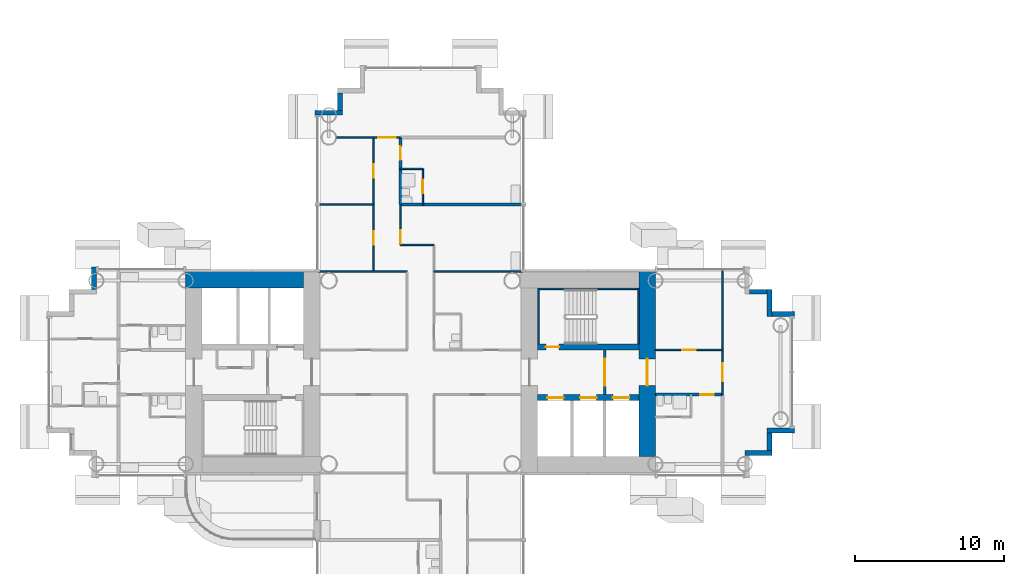
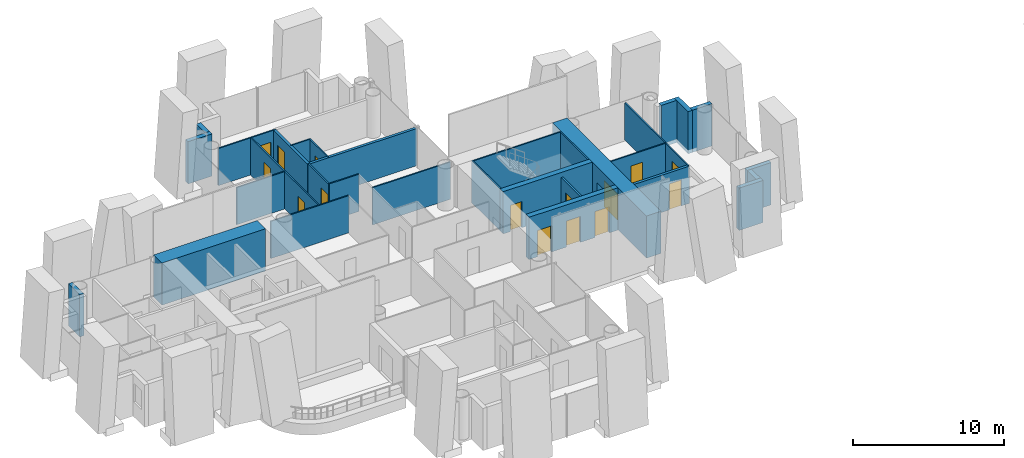
# One storey, part 12 of 24: 31 walls, 15 doors, 15 openings.
"""IFC4 building model written with IfcOpenShell, lengths in metres."""

from ifc_helpers import new_model, si_unit, direction, frame, frame_2d, origin, place, context, subcontext, project, spatial, rectangle, extrude, material, layer, layer_set, type_object, element, fill, save


model = new_model("IFC4")

# Units and contexts
model_context = context("Model", 3, precision=1e-05, world=origin(), true_north=direction((0.0, 1.0)))
body_context = subcontext(model_context, "Body", "Model", "MODEL_VIEW")
ifc_project = project(units=[si_unit("LENGTHUNIT", "METRE"), si_unit("AREAUNIT", "SQUARE_METRE"), si_unit("VOLUMEUNIT", "CUBIC_METRE"), si_unit("PLANEANGLEUNIT", "RADIAN"), si_unit("MASSUNIT", "GRAM", prefix="KILO")], contexts=[model_context])

# Site, building, storey
site_placement = place(None, origin())
site = spatial("IfcSite", under=ifc_project, at=site_placement, CompositionType="ELEMENT")
building_placement = place(site_placement, origin())
building = spatial("IfcBuilding", under=site, at=building_placement, Name="Ipe Terrace Towers", CompositionType="ELEMENT")
storey_placement = place(building_placement, frame((0.0, 0.0, 38.10009765625)))
storey = spatial("IfcBuildingStorey", under=building, at=storey_placement, Name="L09", CompositionType="ELEMENT", Elevation=38.10009765625)

# Walls
ifc_material_1 = material(Name="Concrete C40/50 with buff precast cladding", Category="concrete")
ifc_layer_1 = layer(ifc_material_1, 0.320068359375)
ifc_layer_set_1 = layer_set([ifc_layer_1], Name="BUFF CLADDING WALL 320")
wall_type_1 = type_object("IfcWallType", Name="BUFF CLADDING WALL 320", PredefinedType="STANDARD", material=ifc_layer_set_1)
wall_1_placement = place(storey_placement, frame((-14.25, -5.409912109375, -0.300048828125), z_axis=(0.0, 0.0, 1.0), x_axis=(1.0, 0.0, 0.0)))
element("IfcWall", 1, at=wall_1_placement, inside=storey, type_object=wall_type_1, Name="T1-W-L09-22a wall", PredefinedType="STANDARD", context=body_context, shape_type="SweptSolid", body=[
    extrude(rectangle(XDim=1.820068359375, YDim=0.320068359375, at=frame_2d((0.91015625, 0.0))), origin(), (0.0, 0.0, 1.0), 3.39990234375),
])
wall_2_placement = place(storey_placement, frame((-12.590087890625, -5.25, -0.300048828125), z_axis=(0.0, 0.0, 1.0), x_axis=(0.0, 1.0, 0.0)))
element("IfcWall", 2, at=wall_2_placement, inside=storey, type_object=wall_type_1, Name="T1-W-L09-23a wall", PredefinedType="STANDARD", context=body_context, shape_type="SweptSolid", body=[
    extrude(rectangle(XDim=1.179931640625, YDim=0.320068359375, at=frame_2d((0.58984375, 0.0))), origin(), (0.0, 0.0, 1.0), 3.39990234375),
])
wall_3_placement = place(storey_placement, frame((-12.75, -3.909912109375, -0.300048828125), z_axis=(0.0, 0.0, 1.0), x_axis=(1.0, 0.0, 0.0)))
element("IfcWall", 3, at=wall_3_placement, inside=storey, type_object=wall_type_1, Name="T1-W-L09-24a wall", PredefinedType="STANDARD", context=body_context, shape_type="SweptSolid", body=[
    extrude(rectangle(XDim=1.820068359375, YDim=0.320068359375, at=frame_2d((0.91015625, 0.0))), origin(), (0.0, 0.0, 1.0), 3.39990234375),
])
wall_4_placement = place(storey_placement, frame((-10.929931640625, 3.909912109375, -0.300048828125), z_axis=(0.0, 0.0, 1.0), x_axis=(-1.0, 0.0, 0.0)))
element("IfcWall", 4, at=wall_4_placement, inside=storey, type_object=wall_type_1, Name="T1-W-L09-26a wall", PredefinedType="STANDARD", context=body_context, shape_type="SweptSolid", body=[
    extrude(rectangle(XDim=1.5, YDim=0.320068359375, at=frame_2d((0.75, 0.0))), origin(), (0.0, 0.0, 1.0), 3.39990234375),
])
wall_5_placement = place(storey_placement, frame((-12.590087890625, 3.75, -0.300048828125), z_axis=(0.0, 0.0, 1.0), x_axis=(0.0, 1.0, 0.0)))
element("IfcWall", 5, at=wall_5_placement, inside=storey, type_object=wall_type_1, Name="T1-W-L09-27a wall", PredefinedType="STANDARD", context=body_context, shape_type="SweptSolid", body=[
    extrude(rectangle(XDim=1.820068359375, YDim=0.320068359375, at=frame_2d((0.91015625, 0.0))), origin(), (0.0, 0.0, 1.0), 3.39990234375),
])
for number, where, z_axis, x_axis, name in (
    (6, (-12.75, 5.409912109375, -0.300048828125), (0.0, 0.0, 1.0), (-1.0, 0.0, 0.0), "T1-W-L09-28a wall"),
    (7, (-41.409912109375, 18.75, -0.300048828125), (0.0, 0.0, 1.0), (0.0, -1.0, 0.0), "T1-W-L09-41a wall"),
):
    element("IfcWall", number, at=place(storey_placement, frame(where, z_axis=z_axis, x_axis=x_axis)), inside=storey, type_object=wall_type_1, Name=name, PredefinedType="STANDARD", context=body_context, shape_type="SweptSolid", body=[
        extrude(rectangle(XDim=1.179931640625, YDim=0.320068359375, at=frame_2d((0.58984375, 0.0))), origin(), (0.0, 0.0, 1.0), 3.39990234375),
    ])
wall_6_placement = place(storey_placement, frame((-41.25, 17.409912109375, -0.300048828125), z_axis=(0.0, 0.0, 1.0), x_axis=(-1.0, 0.0, 0.0)))
element("IfcWall", 8, at=wall_6_placement, inside=storey, type_object=wall_type_1, Name="T1-W-L09-42a wall", PredefinedType="STANDARD", context=body_context, shape_type="SweptSolid", body=[
    extrude(rectangle(XDim=1.820068359375, YDim=0.320068359375, at=frame_2d((0.91015625, 0.0))), origin(), (0.0, 0.0, 1.0), 3.39990234375),
])
wall_7_placement = place(storey_placement, frame((-57.909912109375, 7.070068359375, -0.300048828125), z_axis=(0.0, 0.0, 1.0), x_axis=(0.0, -1.0, 0.0)))
element("IfcWall", 9, at=wall_7_placement, inside=storey, type_object=wall_type_1, Name="T1-W-L09-47a wall", PredefinedType="STANDARD", context=body_context, shape_type="SweptSolid", body=[
    extrude(rectangle(XDim=1.5, YDim=0.320068359375, at=frame_2d((0.75, 0.0))), origin(), (0.0, 0.0, 1.0), 3.39990234375),
])

# Wall, openings, doors
ifc_material_2 = material(Name="Gypsum board partition", Category="plasterboard")
ifc_layer_2 = layer(ifc_material_2, 0.10009765625)
ifc_layer_set_2 = layer_set([ifc_layer_2], Name="Gypsum board partition 100 mm")
wall_type_2 = type_object("IfcWallType", Name="Gypsum board partition 100 mm", PredefinedType="PARTITIONING", material=ifc_layer_set_2)
wall_8_placement = place(storey_placement, frame((-39.14990234375, 6.75, 0.0), z_axis=(0.0, 0.0, 1.0), x_axis=(0.0, 1.0, 0.0)))
wall_8 = element("IfcWall", 10, at=wall_8_placement, inside=storey, type_object=wall_type_2, Name="Gypsum board partition T1 L09 W05", PredefinedType="PARTITIONING", context=body_context, shape_type="SweptSolid", body=[
    extrude(rectangle(XDim=9.0, YDim=0.10009765625, at=frame_2d((4.5, 0.0))), origin(), (0.0, 0.0, 1.0), 3.0),
])
opening_1_placement = place(wall_8_placement, frame((1.800048828125, 0.0, 0.0)))
opening_1 = element("IfcOpeningElement", 11, at=opening_1_placement, cuts=wall_8, Name="Opening T1-Z1B-06", PredefinedType="OPENING", context=body_context, shape_type="SweptSolid", body=[
    extrude(rectangle(XDim=0.89990234375, YDim=2.10009765625, at=frame_2d((0.449951171875, 1.050048828125))), frame((0.0, 0.06005859375, 0.0), z_axis=(0.0, -1.0, 0.0), x_axis=(1.0, 0.0, 0.0)), (0.0, 0.0, 1.0), 0.1201171875),
])
opening_2_placement = place(wall_8_placement, frame((6.300048828125, 0.0, 0.0)))
opening_2 = element("IfcOpeningElement", 12, at=opening_2_placement, cuts=wall_8, Name="Opening T1-Z1B-07", PredefinedType="OPENING", context=body_context, shape_type="SweptSolid", body=[
    extrude(rectangle(XDim=0.89990234375, YDim=2.10009765625, at=frame_2d((0.449951171875, 1.050048828125))), frame((0.0, 0.06005859375, 0.0), z_axis=(0.0, -1.0, 0.0), x_axis=(1.0, 0.0, 0.0)), (0.0, 0.0, 1.0), 0.1201171875),
])
ifc_material_3 = material(Name="Timber door leaf", Category="wood")
door_type_1 = type_object("IfcDoorType", Name="Lounge door 900 x 2100", OperationType="NOTDEFINED", PredefinedType="DOOR", material=ifc_material_3)
door_1_placement = place(opening_1_placement, origin())
door_1 = element("IfcDoor", 13, at=door_1_placement, inside=storey, type_object=door_type_1, Name="Lounge door T1-Z1B-06", OperationType="SINGLE_SWING_RIGHT", OverallHeight=2.10009765625, OverallWidth=0.89990234375, PredefinedType="DOOR", context=body_context, shape_type="SweptSolid", body=[
    extrude(rectangle(XDim=0.89990234375, YDim=2.10009765625, at=frame_2d((0.449951171875, 1.050048828125))), frame((0.0, 0.02490234375, 0.0), z_axis=(0.0, -1.0, 0.0), x_axis=(1.0, 0.0, 0.0)), (0.0, 0.0, 1.0), 0.050048828125),
])
fill(opening_1, door_1)
door_2_placement = place(opening_2_placement, origin())
door_2 = element("IfcDoor", 14, at=door_2_placement, inside=storey, type_object=door_type_1, Name="Lounge door T1-Z1B-07", OperationType="SINGLE_SWING_LEFT", OverallHeight=2.10009765625, OverallWidth=0.89990234375, PredefinedType="DOOR", context=body_context, shape_type="SweptSolid", body=[
    extrude(rectangle(XDim=0.89990234375, YDim=2.10009765625, at=frame_2d((0.449951171875, 1.050048828125))), frame((0.0, 0.02490234375, 0.0), z_axis=(0.0, -1.0, 0.0), x_axis=(1.0, 0.0, 0.0)), (0.0, 0.0, 1.0), 0.050048828125),
])
fill(opening_2, door_2)

# Wall, opening, door
wall_9_placement = place(storey_placement, frame((-37.35009765625, 8.550048828125, 0.0), z_axis=(0.0, 0.0, 1.0), x_axis=(0.0, 1.0, 0.0)))
wall_9 = element("IfcWall", 15, at=wall_9_placement, inside=storey, type_object=wall_type_2, Name="Gypsum board partition T1 L09 W06", PredefinedType="PARTITIONING", context=body_context, shape_type="SweptSolid", body=[
    extrude(rectangle(XDim=2.699951171875, YDim=0.10009765625, at=frame_2d((1.35009765625, 0.0))), origin(), (0.0, 0.0, 1.0), 3.0),
])
opening_3_placement = place(wall_9_placement, frame((0.070068359375, 0.0, 0.0)))
opening_3 = element("IfcOpeningElement", 16, at=opening_3_placement, cuts=wall_9, Name="Opening T1-Z1B-08", PredefinedType="OPENING", context=body_context, shape_type="SweptSolid", body=[
    extrude(rectangle(XDim=0.89990234375, YDim=2.10009765625, at=frame_2d((0.449951171875, 1.050048828125))), frame((0.0, 0.06005859375, 0.0), z_axis=(0.0, -1.0, 0.0), x_axis=(1.0, 0.0, 0.0)), (0.0, 0.0, 1.0), 0.1201171875),
])
door_3_placement = place(opening_3_placement, origin())
door_3 = element("IfcDoor", 17, at=door_3_placement, inside=storey, type_object=door_type_1, Name="Lounge door T1-Z1B-08", OperationType="SINGLE_SWING_LEFT", OverallHeight=2.10009765625, OverallWidth=0.89990234375, PredefinedType="DOOR", context=body_context, shape_type="SweptSolid", body=[
    extrude(rectangle(XDim=0.89990234375, YDim=2.10009765625, at=frame_2d((0.449951171875, 1.050048828125))), frame((0.0, 0.02490234375, 0.0), z_axis=(0.0, -1.0, 0.0), x_axis=(1.0, 0.0, 0.0)), (0.0, 0.0, 1.0), 0.050048828125),
])
fill(opening_3, door_3)

wall_10_placement = place(storey_placement, frame((-35.85009765625, 11.25, 0.0), z_axis=(0.0, 0.0, 1.0), x_axis=(0.0, 1.0, 0.0)))
wall_10 = element("IfcWall", 18, at=wall_10_placement, inside=storey, type_object=wall_type_2, Name="Gypsum board partition T1 L09 W11", PredefinedType="PARTITIONING", context=body_context, shape_type="SweptSolid", body=[
    extrude(rectangle(XDim=2.39990234375, YDim=0.10009765625, at=frame_2d((1.199951171875, 0.0))), origin(), (0.0, 0.0, 1.0), 3.0),
])
opening_4_placement = place(wall_10_placement, frame((0.75, 0.0, 0.0)))
opening_4 = element("IfcOpeningElement", 19, at=opening_4_placement, cuts=wall_10, Name="Opening T1-Z1B-10", PredefinedType="OPENING", context=body_context, shape_type="SweptSolid", body=[
    extrude(rectangle(XDim=0.89990234375, YDim=2.10009765625, at=frame_2d((0.449951171875, 1.050048828125))), frame((0.0, 0.06005859375, 0.0), z_axis=(0.0, -1.0, 0.0), x_axis=(1.0, 0.0, 0.0)), (0.0, 0.0, 1.0), 0.1201171875),
])
ifc_material_4 = material(Name="Timber door leaf", Category="wood")
door_type_2 = type_object("IfcDoorType", Name="Bathroom door 900 x 2100", OperationType="NOTDEFINED", PredefinedType="DOOR", material=ifc_material_4)
door_4_placement = place(opening_4_placement, origin())
door_4 = element("IfcDoor", 20, at=door_4_placement, inside=storey, type_object=door_type_2, Name="Bathroom door T1-Z1B-10", OperationType="SINGLE_SWING_RIGHT", OverallHeight=2.10009765625, OverallWidth=0.89990234375, PredefinedType="DOOR", context=body_context, shape_type="SweptSolid", body=[
    extrude(rectangle(XDim=0.89990234375, YDim=2.10009765625, at=frame_2d((0.449951171875, 1.050048828125))), frame((0.0, 0.02490234375, 0.0), z_axis=(0.0, -1.0, 0.0), x_axis=(1.0, 0.0, 0.0)), (0.0, 0.0, 1.0), 0.050048828125),
])
fill(opening_4, door_4)

wall_11_placement = place(storey_placement, frame((-15.75, -1.5, 0.0), z_axis=(0.0, 0.0, 1.0), x_axis=(0.0, 1.0, 0.0)))
wall_11 = element("IfcWall", 21, at=wall_11_placement, inside=storey, type_object=wall_type_2, Name="Gypsum board partition T1 L09 W19", PredefinedType="PARTITIONING", context=body_context, shape_type="SweptSolid", body=[
    extrude(rectangle(XDim=8.35009765625, YDim=0.10009765625, at=frame_2d((4.175048828125, 0.0))), origin(), (0.0, 0.0, 1.0), 3.0),
])
opening_5_placement = place(wall_11_placement, frame((0.89990234375, 0.0, 0.0)))
opening_5 = element("IfcOpeningElement", 22, at=opening_5_placement, cuts=wall_11, Name="Opening T1-Z1B-21", PredefinedType="OPENING", context=body_context, shape_type="SweptSolid", body=[
    extrude(rectangle(XDim=1.199951171875, YDim=2.10009765625, at=frame_2d((0.60009765625, 1.050048828125))), frame((0.0, 0.06005859375, 0.0), z_axis=(0.0, -1.0, 0.0), x_axis=(1.0, 0.0, 0.0)), (0.0, 0.0, 1.0), 0.1201171875),
])
ifc_material_5 = material(Name="Timber door leaf", Category="wood")
door_type_3 = type_object("IfcDoorType", Name="Lounge door 1200 x 2100", OperationType="NOTDEFINED", PredefinedType="DOOR", material=ifc_material_5)
door_5_placement = place(opening_5_placement, origin())
door_5 = element("IfcDoor", 23, at=door_5_placement, inside=storey, type_object=door_type_3, Name="Lounge door T1-Z1B-21", OperationType="SINGLE_SWING_LEFT", OverallHeight=2.10009765625, OverallWidth=1.199951171875, PredefinedType="DOOR", context=body_context, shape_type="SweptSolid", body=[
    extrude(rectangle(XDim=1.199951171875, YDim=2.10009765625, at=frame_2d((0.60009765625, 1.050048828125))), frame((0.0, 0.02490234375, 0.0), z_axis=(0.0, -1.0, 0.0), x_axis=(1.0, 0.0, 0.0)), (0.0, 0.0, 1.0), 0.050048828125),
])
fill(opening_5, door_5)

wall_12_placement = place(storey_placement, frame((-20.25, 1.5, 0.0), z_axis=(0.0, 0.0, 1.0), x_axis=(1.0, 0.0, 0.0)))
wall_12 = element("IfcWall", 24, at=wall_12_placement, inside=storey, type_object=wall_type_2, Name="Gypsum board partition T1 L09 W39", PredefinedType="PARTITIONING", context=body_context, shape_type="SweptSolid", body=[
    extrude(rectangle(XDim=4.5, YDim=0.10009765625, at=frame_2d((2.25, 0.0))), origin(), (0.0, 0.0, 1.0), 3.0),
])
opening_6_placement = place(wall_12_placement, frame((1.800048828125, 0.0, 0.0)))
opening_6 = element("IfcOpeningElement", 25, at=opening_6_placement, cuts=wall_12, Name="Opening T1-Z1B-18", PredefinedType="OPENING", context=body_context, shape_type="SweptSolid", body=[
    extrude(rectangle(XDim=0.89990234375, YDim=2.10009765625, at=frame_2d((0.449951171875, 1.050048828125))), frame((0.0, 0.06005859375, 0.0), z_axis=(0.0, -1.0, 0.0), x_axis=(1.0, 0.0, 0.0)), (0.0, 0.0, 1.0), 0.1201171875),
])
door_6_placement = place(opening_6_placement, origin())
door_6 = element("IfcDoor", 26, at=door_6_placement, inside=storey, type_object=door_type_1, Name="Lounge door T1-Z1B-18", OperationType="SINGLE_SWING_LEFT", OverallHeight=2.10009765625, OverallWidth=0.89990234375, PredefinedType="DOOR", context=body_context, shape_type="SweptSolid", body=[
    extrude(rectangle(XDim=0.89990234375, YDim=2.10009765625, at=frame_2d((0.449951171875, 1.050048828125))), frame((0.0, 0.02490234375, 0.0), z_axis=(0.0, -1.0, 0.0), x_axis=(1.0, 0.0, 0.0)), (0.0, 0.0, 1.0), 0.050048828125),
])
fill(opening_6, door_6)

# Walls
for number, where, z_axis, x_axis, name in (
    (27, (-42.85009765625, 6.75, 0.0), (0.0, 0.0, 1.0), (1.0, 0.0, 0.0), "Gypsum board partition T1 L09 W44"),
    (28, (-35.10009765625, 6.75, 0.0), (0.0, 0.0, 1.0), (1.0, 0.0, 0.0), "Gypsum board partition T1 L09 W45"),
):
    element("IfcWall", number, at=place(storey_placement, frame(where, z_axis=z_axis, x_axis=x_axis)), inside=storey, type_object=wall_type_2, Name=name, PredefinedType="PARTITIONING", context=body_context, shape_type="SweptSolid", body=[
        extrude(rectangle(XDim=5.9501953125, YDim=0.10009765625, at=frame_2d((2.97509765625, 0.0))), origin(), (0.0, 0.0, 1.0), 3.0),
    ])
wall_13_placement = place(storey_placement, frame((-37.35009765625, 8.550048828125, 0.0), z_axis=(0.0, 0.0, 1.0), x_axis=(1.0, 0.0, 0.0)))
element("IfcWall", 29, at=wall_13_placement, inside=storey, type_object=wall_type_2, Name="Gypsum board partition T1 L09 W46", PredefinedType="PARTITIONING", context=body_context, shape_type="SweptSolid", body=[
    extrude(rectangle(XDim=2.25, YDim=0.10009765625, at=frame_2d((1.125, 0.0))), origin(), (0.0, 0.0, 1.0), 3.0),
])
wall_14_placement = place(storey_placement, frame((-42.85009765625, 11.25, 0.0), z_axis=(0.0, 0.0, 1.0), x_axis=(1.0, 0.0, 0.0)))
element("IfcWall", 30, at=wall_14_placement, inside=storey, type_object=wall_type_2, Name="Gypsum board partition T1 L09 W47", PredefinedType="PARTITIONING", context=body_context, shape_type="SweptSolid", body=[
    extrude(rectangle(XDim=3.7001953125, YDim=0.10009765625, at=frame_2d((1.85009765625, 0.0))), origin(), (0.0, 0.0, 1.0), 3.0),
])
wall_15_placement = place(storey_placement, frame((-37.35009765625, 13.64990234375, 0.0), z_axis=(0.0, 0.0, 1.0), x_axis=(1.0, 0.0, 0.0)))
element("IfcWall", 31, at=wall_15_placement, inside=storey, type_object=wall_type_2, Name="Gypsum board partition T1 L09 W49", PredefinedType="PARTITIONING", context=body_context, shape_type="SweptSolid", body=[
    extrude(rectangle(XDim=1.5, YDim=0.10009765625, at=frame_2d((0.75, 0.0))), origin(), (0.0, 0.0, 1.0), 3.0),
])

# Wall, opening, door
wall_16_placement = place(storey_placement, frame((-41.64990234375, 15.75, 0.0), z_axis=(0.0, 0.0, 1.0), x_axis=(1.0, 0.0, 0.0)))
wall_16 = element("IfcWall", 32, at=wall_16_placement, inside=storey, type_object=wall_type_2, Name="Gypsum board partition T1 L09 W50", PredefinedType="PARTITIONING", context=body_context, shape_type="SweptSolid", body=[
    extrude(rectangle(XDim=4.2998046875, YDim=0.10009765625, at=frame_2d((2.14990234375, 0.0))), origin(), (0.0, 0.0, 1.0), 3.0),
])
opening_7_placement = place(wall_16_placement, frame((2.800048828125, 0.0, 0.0)))
opening_7 = element("IfcOpeningElement", 33, at=opening_7_placement, cuts=wall_16, Name="Opening T1-Z1B-11", PredefinedType="OPENING", context=body_context, shape_type="SweptSolid", body=[
    extrude(rectangle(XDim=1.199951171875, YDim=2.10009765625, at=frame_2d((0.60009765625, 1.050048828125))), frame((0.0, 0.06005859375, 0.0), z_axis=(0.0, -1.0, 0.0), x_axis=(1.0, 0.0, 0.0)), (0.0, 0.0, 1.0), 0.1201171875),
])
door_7_placement = place(opening_7_placement, origin())
door_7 = element("IfcDoor", 34, at=door_7_placement, inside=storey, type_object=door_type_3, Name="Lounge door T1-Z1B-11", OperationType="SINGLE_SWING_LEFT", OverallHeight=2.10009765625, OverallWidth=1.199951171875, PredefinedType="DOOR", context=body_context, shape_type="SweptSolid", body=[
    extrude(rectangle(XDim=1.199951171875, YDim=2.10009765625, at=frame_2d((0.60009765625, 1.050048828125))), frame((0.0, 0.02490234375, 0.0), z_axis=(0.0, -1.0, 0.0), x_axis=(1.0, 0.0, 0.0)), (0.0, 0.0, 1.0), 0.050048828125),
])
fill(opening_7, door_7)

ifc_material_6 = material(Name="Gypsum board partition", Category="plasterboard")
ifc_layer_3 = layer(ifc_material_6, 0.14990234375)
ifc_layer_set_3 = layer_set([ifc_layer_3], Name="Gypsum board partition 150 mm")
wall_type_3 = type_object("IfcWallType", Name="Gypsum board partition 150 mm", PredefinedType="PARTITIONING", material=ifc_layer_set_3)
wall_17_placement = place(storey_placement, frame((-23.64990234375, -1.5, 0.0), z_axis=(0.0, 0.0, 1.0), x_axis=(0.0, 1.0, 0.0)))
wall_17 = element("IfcWall", 35, at=wall_17_placement, inside=storey, type_object=wall_type_3, Name="Gypsum board partition T1 L09 t1c1-lobby-wall", PredefinedType="PARTITIONING", context=body_context, shape_type="SweptSolid", body=[
    extrude(rectangle(XDim=3.0, YDim=0.14990234375, at=frame_2d((1.5, 0.0))), origin(), (0.0, 0.0, 1.0), 3.0),
])
opening_8_placement = place(wall_17_placement, frame((0.60009765625, 0.0, 0.0)))
opening_8 = element("IfcOpeningElement", 36, at=opening_8_placement, cuts=wall_17, Name="Opening T1C1-VD", PredefinedType="OPENING", context=body_context, shape_type="SweptSolid", body=[
    extrude(rectangle(XDim=1.800048828125, YDim=2.10009765625, at=frame_2d((0.89990234375, 1.050048828125))), frame((0.0, 0.0849609375, 0.0), z_axis=(0.0, -1.0, 0.0), x_axis=(1.0, 0.0, 0.0)), (0.0, 0.0, 1.0), 0.169921875),
])
ifc_material_7 = material(Name="Fire-rated timber door leaf", Category="wood")
door_type_4 = type_object("IfcDoorType", Name="Lobby door 1800 x 2100 FD60", OperationType="NOTDEFINED", PredefinedType="DOOR", material=ifc_material_7)
door_8_placement = place(opening_8_placement, origin())
door_8 = element("IfcDoor", 37, at=door_8_placement, inside=storey, type_object=door_type_4, Name="Lobby door T1C1-VD", OperationType="SINGLE_SWING_LEFT", OverallHeight=2.10009765625, OverallWidth=1.800048828125, PredefinedType="DOOR", context=body_context, shape_type="SweptSolid", body=[
    extrude(rectangle(XDim=1.800048828125, YDim=2.10009765625, at=frame_2d((0.89990234375, 1.050048828125))), frame((0.0, 0.02490234375, 0.0), z_axis=(0.0, -1.0, 0.0), x_axis=(1.0, 0.0, 0.0)), (0.0, 0.0, 1.0), 0.050048828125),
])
fill(opening_8, door_8)

ifc_material_8 = material(Name="Gypsum board party wall", Category="plasterboard")
ifc_layer_4 = layer(ifc_material_8, 0.199951171875)
ifc_layer_set_4 = layer_set([ifc_layer_4], Name="Gypsum board party wall 200 mm")
wall_type_4 = type_object("IfcWallType", Name="Gypsum board party wall 200 mm", PredefinedType="SOLIDWALL", material=ifc_layer_set_4)
wall_18_placement = place(storey_placement, frame((-37.35009765625, 11.25, 0.0), z_axis=(0.0, 0.0, 1.0), x_axis=(0.0, 1.0, 0.0)))
wall_18 = element("IfcWall", 38, at=wall_18_placement, inside=storey, type_object=wall_type_4, Name="Gypsum board party wall T1 L09 W07", PredefinedType="SOLIDWALL", context=body_context, shape_type="SweptSolid", body=[
    extrude(rectangle(XDim=4.5, YDim=0.199951171875, at=frame_2d((2.25, 0.0))), origin(), (0.0, 0.0, 1.0), 3.0),
])
opening_9_placement = place(wall_18_placement, frame((3.0, 0.0, 0.0)))
opening_9 = element("IfcOpeningElement", 39, at=opening_9_placement, cuts=wall_18, Name="Opening T1-Z1B-09", PredefinedType="OPENING", context=body_context, shape_type="SweptSolid", body=[
    extrude(rectangle(XDim=0.89990234375, YDim=2.10009765625, at=frame_2d((0.449951171875, 1.050048828125))), frame((0.0, 0.10986328125, 0.0), z_axis=(0.0, -1.0, 0.0), x_axis=(1.0, 0.0, 0.0)), (0.0, 0.0, 1.0), 0.219970703125),
])
ifc_material_9 = material(Name="Fire-rated timber door leaf", Category="wood")
door_type_5 = type_object("IfcDoorType", Name="Flat entrance door 900 x 2100 FD30S", OperationType="NOTDEFINED", PredefinedType="DOOR", material=ifc_material_9)
door_9_placement = place(opening_9_placement, origin())
door_9 = element("IfcDoor", 40, at=door_9_placement, inside=storey, type_object=door_type_5, Name="Flat entrance door T1-Z1B-09", OperationType="SINGLE_SWING_RIGHT", OverallHeight=2.10009765625, OverallWidth=0.89990234375, PredefinedType="DOOR", context=body_context, shape_type="SweptSolid", body=[
    extrude(rectangle(XDim=0.89990234375, YDim=2.10009765625, at=frame_2d((0.449951171875, 1.050048828125))), frame((0.0, 0.02490234375, 0.0), z_axis=(0.0, -1.0, 0.0), x_axis=(1.0, 0.0, 0.0)), (0.0, 0.0, 1.0), 0.050048828125),
])
fill(opening_9, door_9)

wall_19_placement = place(storey_placement, frame((-20.25, -1.5, 0.0), z_axis=(0.0, 0.0, 1.0), x_axis=(1.0, 0.0, 0.0)))
wall_19 = element("IfcWall", 41, at=wall_19_placement, inside=storey, type_object=wall_type_4, Name="Gypsum board party wall T1 L09 W35", PredefinedType="SOLIDWALL", context=body_context, shape_type="SweptSolid", body=[
    extrude(rectangle(XDim=4.5, YDim=0.199951171875, at=frame_2d((2.25, 0.0))), origin(), (0.0, 0.0, 1.0), 3.0),
])
opening_10_placement = place(wall_19_placement, frame((3.0, 0.0, 0.0)))
opening_10 = element("IfcOpeningElement", 42, at=opening_10_placement, cuts=wall_19, Name="Opening T1-Z1B-19", PredefinedType="OPENING", context=body_context, shape_type="SweptSolid", body=[
    extrude(rectangle(XDim=0.89990234375, YDim=2.10009765625, at=frame_2d((0.449951171875, 1.050048828125))), frame((0.0, 0.10986328125, 0.0), z_axis=(0.0, -1.0, 0.0), x_axis=(1.0, 0.0, 0.0)), (0.0, 0.0, 1.0), 0.219970703125),
])
door_10_placement = place(opening_10_placement, origin())
door_10 = element("IfcDoor", 43, at=door_10_placement, inside=storey, type_object=door_type_5, Name="Flat entrance door T1-Z1B-19", OperationType="SINGLE_SWING_RIGHT", OverallHeight=2.10009765625, OverallWidth=0.89990234375, PredefinedType="DOOR", context=body_context, shape_type="SweptSolid", body=[
    extrude(rectangle(XDim=0.89990234375, YDim=2.10009765625, at=frame_2d((0.449951171875, 1.050048828125))), frame((0.0, 0.02490234375, 0.0), z_axis=(0.0, -1.0, 0.0), x_axis=(1.0, 0.0, 0.0)), (0.0, 0.0, 1.0), 0.050048828125),
])
fill(opening_10, door_10)

# Walls
wall_20_placement = place(storey_placement, frame((-37.35009765625, 11.25, 0.0), z_axis=(0.0, 0.0, 1.0), x_axis=(1.0, 0.0, 0.0)))
element("IfcWall", 44, at=wall_20_placement, inside=storey, type_object=wall_type_4, Name="Gypsum board party wall T1 L09 W48", PredefinedType="SOLIDWALL", context=body_context, shape_type="SweptSolid", body=[
    extrude(rectangle(XDim=8.2001953125, YDim=0.199951171875, at=frame_2d((4.10009765625, 0.0))), origin(), (0.0, 0.0, 1.0), 3.0),
])
ifc_material_10 = material(Name="Concrete C60/75", Category="concrete")
ifc_layer_5 = layer(ifc_material_10, 0.10009765625)
ifc_layer_set_5 = layer_set([ifc_layer_5], Name="RW100 CORE INFILL WALL 100 C60-75")
wall_type_5 = type_object("IfcWallType", Name="RW100 CORE INFILL WALL 100 C60-75", PredefinedType="SHEAR", material=ifc_layer_set_5)
wall_21_placement = place(storey_placement, frame((-21.39990234375, 1.89990234375, 0.0), z_axis=(0.0, 0.0, 1.0), x_axis=(0.0, 1.0, 0.0)))
element("IfcWall", 45, at=wall_21_placement, inside=storey, type_object=wall_type_5, Name="Core infill wall T1-C1-far", PredefinedType="SHEAR", context=body_context, shape_type="SweptSolid", body=[
    extrude(rectangle(XDim=3.75, YDim=0.10009765625, at=frame_2d((1.875, 0.0))), origin(), (0.0, 0.0, 1.0), 3.39990234375),
])
wall_22_placement = place(storey_placement, frame((-28.050048828125, 5.60009765625, 0.0), z_axis=(0.0, 0.0, 1.0), x_axis=(1.0, 0.0, 0.0)))
element("IfcWall", 46, at=wall_22_placement, inside=storey, type_object=wall_type_5, Name="Core infill wall T1-C1-back", PredefinedType="SHEAR", context=body_context, shape_type="SweptSolid", body=[
    extrude(rectangle(XDim=6.60009765625, YDim=0.10009765625, at=frame_2d((3.300048828125, 0.0))), origin(), (0.0, 0.0, 1.0), 3.39990234375),
])
wall_23_placement = place(storey_placement, frame((-28.10009765625, 1.89990234375, 0.0), z_axis=(0.0, 0.0, 1.0), x_axis=(0.0, 1.0, 0.0)))
element("IfcWall", 47, at=wall_23_placement, inside=storey, type_object=wall_type_5, Name="Core infill wall T1-C1-near", PredefinedType="SHEAR", context=body_context, shape_type="SweptSolid", body=[
    extrude(rectangle(XDim=3.75, YDim=0.10009765625, at=frame_2d((1.875, 0.0))), origin(), (0.0, 0.0, 1.0), 3.39990234375),
])

# Wall, opening, door
ifc_material_11 = material(Name="Concrete C60/75", Category="concrete")
ifc_layer_6 = layer(ifc_material_11, 1.10009765625)
ifc_layer_set_6 = layer_set([ifc_layer_6], Name="RW1100 CORE WALL 1100 C60-75")
wall_type_6 = type_object("IfcWallType", Name="RW1100 CORE WALL 1100 C60-75", PredefinedType="SHEAR", material=ifc_layer_set_6)
wall_24_placement = place(storey_placement, frame((-20.800048828125, -5.64990234375, 0.0), z_axis=(0.0, 0.0, 1.0), x_axis=(0.0, 1.0, 0.0)))
wall_24 = element("IfcWall", 48, at=wall_24_placement, inside=storey, type_object=wall_type_6, Name="Core wall T1-C1-Z1-W02", PredefinedType="SHEAR", context=body_context, shape_type="SweptSolid", body=[
    extrude(rectangle(XDim=12.39990234375, YDim=1.10009765625, at=frame_2d((6.199951171875, 0.0))), origin(), (0.0, 0.0, 1.0), 3.39990234375),
])
opening_11_placement = place(wall_24_placement, frame((4.75, 0.0, 0.0)))
opening_11 = element("IfcOpeningElement", 49, at=opening_11_placement, cuts=wall_24, Name="Opening T1C1-FD", PredefinedType="OPENING", context=body_context, shape_type="SweptSolid", body=[
    extrude(rectangle(XDim=1.800048828125, YDim=2.10009765625, at=frame_2d((0.89990234375, 1.050048828125))), frame((0.0, 0.56005859375, 0.0), z_axis=(0.0, -1.0, 0.0), x_axis=(1.0, 0.0, 0.0)), (0.0, 0.0, 1.0), 1.1201171875),
])
ifc_material_12 = material(Name="Fire-rated timber door leaf", Category="wood")
door_type_6 = type_object("IfcDoorType", Name="Fire door 1800 x 2100 FD30S", OperationType="NOTDEFINED", PredefinedType="DOOR", material=ifc_material_12)
door_11_placement = place(opening_11_placement, origin())
door_11 = element("IfcDoor", 50, at=door_11_placement, inside=storey, type_object=door_type_6, Name="Fire door T1C1-FD", OperationType="SINGLE_SWING_LEFT", OverallHeight=2.10009765625, OverallWidth=1.800048828125, PredefinedType="DOOR", context=body_context, shape_type="SweptSolid", body=[
    extrude(rectangle(XDim=1.800048828125, YDim=2.10009765625, at=frame_2d((0.89990234375, 1.050048828125))), frame((0.0, 0.02490234375, 0.0), z_axis=(0.0, -1.0, 0.0), x_axis=(1.0, 0.0, 0.0)), (0.0, 0.0, 1.0), 0.050048828125),
])
fill(opening_11, door_11)

# Wall
wall_25_placement = place(storey_placement, frame((-43.85009765625, 6.199951171875, 0.0), z_axis=(0.0, 0.0, 1.0), x_axis=(-1.0, 0.0, 0.0)))
element("IfcWall", 51, at=wall_25_placement, inside=storey, type_object=wall_type_6, Name="Core wall T1-C2-Z1-W03", PredefinedType="SHEAR", context=body_context, shape_type="SweptSolid", body=[
    extrude(rectangle(XDim=7.89990234375, YDim=1.10009765625, at=frame_2d((3.949951171875, 0.0))), origin(), (0.0, 0.0, 1.0), 3.39990234375),
])

# Wall, openings, doors
ifc_material_13 = material(Name="Concrete C60/75", Category="concrete")
ifc_layer_7 = layer(ifc_material_13, 0.39990234375)
ifc_layer_set_7 = layer_set([ifc_layer_7], Name="RW400 CORE SPINE WALL 400 C60-75")
wall_type_7 = type_object("IfcWallType", Name="RW400 CORE SPINE WALL 400 C60-75", PredefinedType="SHEAR", material=ifc_layer_set_7)
wall_26_placement = place(storey_placement, frame((-28.14990234375, -1.699951171875, 0.0), z_axis=(0.0, 0.0, 1.0), x_axis=(1.0, 0.0, 0.0)))
wall_26 = element("IfcWall", 52, at=wall_26_placement, inside=storey, type_object=wall_type_7, Name="Core spine wall T1-C1-Z1-SW1", PredefinedType="SHEAR", context=body_context, shape_type="SweptSolid", body=[
    extrude(rectangle(XDim=6.7998046875, YDim=0.39990234375, at=frame_2d((3.39990234375, 0.0))), origin(), (0.0, 0.0, 1.0), 3.39990234375),
])
opening_12_placement = place(wall_26_placement, frame((0.64990234375, 0.0, 0.0)))
opening_12 = element("IfcOpeningElement", 53, at=opening_12_placement, cuts=wall_26, Name="Opening T1C1-LD1", PredefinedType="OPENING", context=body_context, shape_type="SweptSolid", body=[
    extrude(rectangle(XDim=1.10009765625, YDim=2.10009765625, at=frame_2d((0.550048828125, 1.050048828125))), frame((0.0, 0.2099609375, 0.0), z_axis=(0.0, -1.0, 0.0), x_axis=(1.0, 0.0, 0.0)), (0.0, 0.0, 1.0), 0.419921875),
])
opening_13_placement = place(wall_26_placement, frame((2.85009765625, 0.0, 0.0)))
opening_13 = element("IfcOpeningElement", 54, at=opening_13_placement, cuts=wall_26, Name="Opening T1C1-LD2", PredefinedType="OPENING", context=body_context, shape_type="SweptSolid", body=[
    extrude(rectangle(XDim=1.10009765625, YDim=2.10009765625, at=frame_2d((0.550048828125, 1.050048828125))), frame((0.0, 0.2099609375, 0.0), z_axis=(0.0, -1.0, 0.0), x_axis=(1.0, 0.0, 0.0)), (0.0, 0.0, 1.0), 0.419921875),
])
opening_14_placement = place(wall_26_placement, frame((5.050048828125, 0.0, 0.0)))
opening_14 = element("IfcOpeningElement", 55, at=opening_14_placement, cuts=wall_26, Name="Opening T1C1-LD3", PredefinedType="OPENING", context=body_context, shape_type="SweptSolid", body=[
    extrude(rectangle(XDim=1.10009765625, YDim=2.10009765625, at=frame_2d((0.550048828125, 1.050048828125))), frame((0.0, 0.2099609375, 0.0), z_axis=(0.0, -1.0, 0.0), x_axis=(1.0, 0.0, 0.0)), (0.0, 0.0, 1.0), 0.419921875),
])
ifc_material_14 = material(Name="Fire-rated timber door leaf", Category="wood")
door_type_7 = type_object("IfcDoorType", Name="Sliding door 1100 x 2100 FD60", OperationType="SLIDING_TO_LEFT", PredefinedType="DOOR", material=ifc_material_14)
door_12_placement = place(opening_12_placement, origin())
door_12 = element("IfcDoor", 56, at=door_12_placement, inside=storey, type_object=door_type_7, Name="Sliding door T1C1-LD1", OperationType="SLIDING_TO_LEFT", OverallHeight=2.10009765625, OverallWidth=1.10009765625, PredefinedType="DOOR", context=body_context, shape_type="SweptSolid", body=[
    extrude(rectangle(XDim=1.10009765625, YDim=2.10009765625, at=frame_2d((0.550048828125, 1.050048828125))), frame((0.0, 0.02490234375, 0.0), z_axis=(0.0, -1.0, 0.0), x_axis=(1.0, 0.0, 0.0)), (0.0, 0.0, 1.0), 0.050048828125),
])
fill(opening_12, door_12)
door_13_placement = place(opening_13_placement, origin())
door_13 = element("IfcDoor", 57, at=door_13_placement, inside=storey, type_object=door_type_7, Name="Sliding door T1C1-LD2", OperationType="SLIDING_TO_LEFT", OverallHeight=2.10009765625, OverallWidth=1.10009765625, PredefinedType="DOOR", context=body_context, shape_type="SweptSolid", body=[
    extrude(rectangle(XDim=1.10009765625, YDim=2.10009765625, at=frame_2d((0.550048828125, 1.050048828125))), frame((0.0, 0.02490234375, 0.0), z_axis=(0.0, -1.0, 0.0), x_axis=(1.0, 0.0, 0.0)), (0.0, 0.0, 1.0), 0.050048828125),
])
fill(opening_13, door_13)
door_14_placement = place(opening_14_placement, origin())
door_14 = element("IfcDoor", 58, at=door_14_placement, inside=storey, type_object=door_type_7, Name="Sliding door T1C1-LD3", OperationType="SLIDING_TO_LEFT", OverallHeight=2.10009765625, OverallWidth=1.10009765625, PredefinedType="DOOR", context=body_context, shape_type="SweptSolid", body=[
    extrude(rectangle(XDim=1.10009765625, YDim=2.10009765625, at=frame_2d((0.550048828125, 1.050048828125))), frame((0.0, 0.02490234375, 0.0), z_axis=(0.0, -1.0, 0.0), x_axis=(1.0, 0.0, 0.0)), (0.0, 0.0, 1.0), 0.050048828125),
])
fill(opening_14, door_14)

# Wall, opening, door
wall_27_placement = place(storey_placement, frame((-28.14990234375, 1.699951171875, 0.0), z_axis=(0.0, 0.0, 1.0), x_axis=(1.0, 0.0, 0.0)))
wall_27 = element("IfcWall", 59, at=wall_27_placement, inside=storey, type_object=wall_type_7, Name="Core spine wall T1-C1-Z1-SW2", PredefinedType="SHEAR", context=body_context, shape_type="SweptSolid", body=[
    extrude(rectangle(XDim=6.7998046875, YDim=0.39990234375, at=frame_2d((3.39990234375, 0.0))), origin(), (0.0, 0.0, 1.0), 3.39990234375),
])
opening_15_placement = place(wall_27_placement, frame((0.550048828125, 0.0, 0.0)))
opening_15 = element("IfcOpeningElement", 60, at=opening_15_placement, cuts=wall_27, Name="Opening T1C1-SD", PredefinedType="OPENING", context=body_context, shape_type="SweptSolid", body=[
    extrude(rectangle(XDim=0.89990234375, YDim=2.10009765625, at=frame_2d((0.449951171875, 1.050048828125))), frame((0.0, 0.2099609375, 0.0), z_axis=(0.0, -1.0, 0.0), x_axis=(1.0, 0.0, 0.0)), (0.0, 0.0, 1.0), 0.419921875),
])
ifc_material_15 = material(Name="Fire-rated timber door leaf", Category="wood")
door_type_8 = type_object("IfcDoorType", Name="Stair door 900 x 2100 FD60", OperationType="NOTDEFINED", PredefinedType="DOOR", material=ifc_material_15)
door_15_placement = place(opening_15_placement, origin())
door_15 = element("IfcDoor", 61, at=door_15_placement, inside=storey, type_object=door_type_8, Name="Stair door T1C1-SD", OperationType="SINGLE_SWING_LEFT", OverallHeight=2.10009765625, OverallWidth=0.89990234375, PredefinedType="DOOR", context=body_context, shape_type="SweptSolid", body=[
    extrude(rectangle(XDim=0.89990234375, YDim=2.10009765625, at=frame_2d((0.449951171875, 1.050048828125))), frame((0.0, 0.02490234375, 0.0), z_axis=(0.0, -1.0, 0.0), x_axis=(1.0, 0.0, 0.0)), (0.0, 0.0, 1.0), 0.050048828125),
])
fill(opening_15, door_15)

save(model, "model.ifc")
